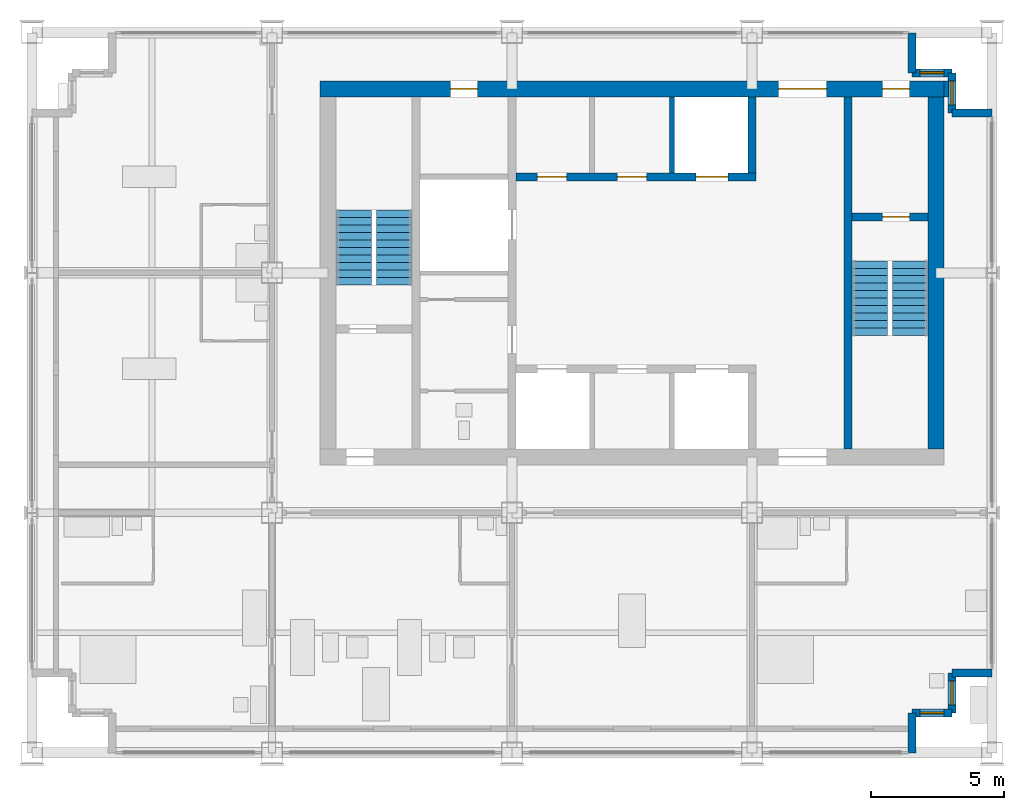
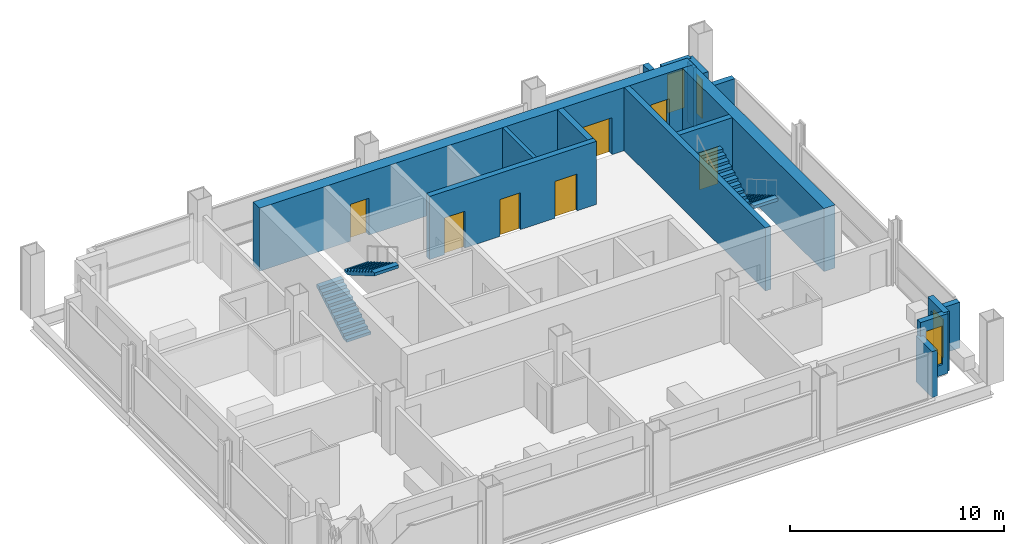
# One storey, part 8 of 11: 16 walls, 7 doors, 4 stair flights, 4 windows, 11 openings, 2 elements without a shape of their own.
"""IFC4 building model written with IfcOpenShell, lengths in metres."""

from ifc_helpers import new_model, si_unit, direction, frame, frame_2d, origin, place, context, subcontext, project, spatial, polyline, rectangle, outline, extrude, material, layer, layer_set, type_object, element, fill, aggregate, save


model = new_model("IFC4")

# Units and contexts
model_context = context("Model", 3, precision=1e-05, world=origin(), true_north=direction((0.0, 1.0)))
body_context = subcontext(model_context, "Body", "Model", "MODEL_VIEW")
ifc_project = project(units=[si_unit("LENGTHUNIT", "METRE"), si_unit("AREAUNIT", "SQUARE_METRE"), si_unit("VOLUMEUNIT", "CUBIC_METRE"), si_unit("PLANEANGLEUNIT", "RADIAN"), si_unit("MASSUNIT", "GRAM", prefix="KILO")], contexts=[model_context])

# Site, building, storey
site_placement = place(None, origin())
site = spatial("IfcSite", under=ifc_project, at=site_placement, CompositionType="ELEMENT")
building_placement = place(site_placement, origin())
building = spatial("IfcBuilding", under=site, at=building_placement, Name="Loomwork Tower", CompositionType="ELEMENT")
storey_placement = place(building_placement, frame((0.0, 0.0, 262.60009765625)))
storey = spatial("IfcBuildingStorey", under=building, at=storey_placement, Name="L72", CompositionType="ELEMENT", Elevation=262.60009765625)

# Wall, openings, doors
ifc_material_1 = material(Name="Concrete 14000 psi (97 MPa)", Category="concrete")
ifc_layer_1 = layer(ifc_material_1, 0.300048828125)
ifc_layer_set_1 = layer_set([ifc_layer_1], Name="Core shear wall 300")
wall_type_1 = type_object("IfcWallType", Name="Core shear wall 300", PredefinedType="SHEAR", material=ifc_layer_set_1)
wall_1_placement = place(storey_placement, frame((18.14990234375, 21.60009765625, 0.0), z_axis=(0.0, 0.0, 1.0), x_axis=(1.0, 0.0, 0.0)))
wall_1 = element("IfcWall", 1, at=wall_1_placement, inside=storey, type_object=wall_type_1, Name="Lift front wall north L72", PredefinedType="SHEAR", context=body_context, shape_type="SweptSolid", body=[
    extrude(rectangle(XDim=9.0, YDim=0.300048828125, at=frame_2d((4.5, 0.0))), origin(), (0.0, 0.0, 1.0), 3.599853515625),
])
opening_1_placement = place(wall_1_placement, frame((6.75, 0.0, 0.0)))
opening_1 = element("IfcOpeningElement", 2, at=opening_1_placement, cuts=wall_1, Name="Opening LD2", PredefinedType="OPENING", context=body_context, shape_type="SweptSolid", body=[
    extrude(rectangle(XDim=1.199951171875, YDim=2.10009765625, at=frame_2d((0.60009765625, 1.050048828125))), frame((0.0, 0.159912109375, 0.0), z_axis=(0.0, -1.0, 0.0), x_axis=(1.0, 0.0, 0.0)), (0.0, 0.0, 1.0), 0.320068359375),
])
opening_2_placement = place(wall_1_placement, frame((0.800048828125, 0.0, 0.0)))
opening_2 = element("IfcOpeningElement", 3, at=opening_2_placement, cuts=wall_1, Name="Opening D17", PredefinedType="OPENING", context=body_context, shape_type="SweptSolid", body=[
    extrude(rectangle(XDim=1.10009765625, YDim=2.10009765625, at=frame_2d((0.550048828125, 1.050048828125))), frame((0.0, 0.159912109375, 0.0), z_axis=(0.0, -1.0, 0.0), x_axis=(1.0, 0.0, 0.0)), (0.0, 0.0, 1.0), 0.320068359375),
])
opening_3_placement = place(wall_1_placement, frame((3.800048828125, 0.0, 0.0)))
opening_3 = element("IfcOpeningElement", 4, at=opening_3_placement, cuts=wall_1, Name="Opening D17", PredefinedType="OPENING", context=body_context, shape_type="SweptSolid", body=[
    extrude(rectangle(XDim=1.10009765625, YDim=2.10009765625, at=frame_2d((0.550048828125, 1.050048828125))), frame((0.0, 0.159912109375, 0.0), z_axis=(0.0, -1.0, 0.0), x_axis=(1.0, 0.0, 0.0)), (0.0, 0.0, 1.0), 0.320068359375),
])
ifc_material_2 = material(Name="Hollow metal door and frame")
door_type_1 = type_object("IfcDoorType", Name="Lift landing door 1200", OperationType="SLIDING_TO_LEFT", PredefinedType="DOOR", material=ifc_material_2)
door_1_placement = place(opening_1_placement, origin())
door_1 = element("IfcDoor", 5, at=door_1_placement, inside=storey, type_object=door_type_1, Name="Lift landing door LF2", OperationType="SLIDING_TO_LEFT", OverallHeight=2.10009765625, OverallWidth=1.199951171875, PredefinedType="DOOR", context=body_context, shape_type="SweptSolid", body=[
    extrude(rectangle(XDim=1.199951171875, YDim=2.10009765625, at=frame_2d((0.60009765625, 1.050048828125))), frame((0.0, 0.02490234375, 0.0), z_axis=(0.0, -1.0, 0.0), x_axis=(1.0, 0.0, 0.0)), (0.0, 0.0, 1.0), 0.050048828125),
])
fill(opening_1, door_1)
ifc_material_3 = material(Name="Hollow metal door and frame")
door_type_2 = type_object("IfcDoorType", Name="Service room door 1100", OperationType="SINGLE_SWING_LEFT", PredefinedType="DOOR", material=ifc_material_3)
door_2_placement = place(opening_2_placement, origin())
door_2 = element("IfcDoor", 6, at=door_2_placement, inside=storey, type_object=door_type_2, Name="IT and communications room door L72", OperationType="SINGLE_SWING_LEFT", OverallHeight=2.10009765625, OverallWidth=1.10009765625, PredefinedType="DOOR", context=body_context, shape_type="SweptSolid", body=[
    extrude(rectangle(XDim=1.10009765625, YDim=2.10009765625, at=frame_2d((0.550048828125, 1.050048828125))), frame((0.0, 0.02490234375, 0.0), z_axis=(0.0, -1.0, 0.0), x_axis=(1.0, 0.0, 0.0)), (0.0, 0.0, 1.0), 0.050048828125),
])
fill(opening_2, door_2)
door_3_placement = place(opening_3_placement, origin())
door_3 = element("IfcDoor", 7, at=door_3_placement, inside=storey, type_object=door_type_2, Name="Housekeeping store door L72", OperationType="SINGLE_SWING_LEFT", OverallHeight=2.10009765625, OverallWidth=1.10009765625, PredefinedType="DOOR", context=body_context, shape_type="SweptSolid", body=[
    extrude(rectangle(XDim=1.10009765625, YDim=2.10009765625, at=frame_2d((0.550048828125, 1.050048828125))), frame((0.0, 0.02490234375, 0.0), z_axis=(0.0, -1.0, 0.0), x_axis=(1.0, 0.0, 0.0)), (0.0, 0.0, 1.0), 0.050048828125),
])
fill(opening_3, door_3)

# Walls
wall_2_placement = place(storey_placement, frame((27.0, 21.75, 0.0), z_axis=(0.0, 0.0, 1.0), x_axis=(0.0, 1.0, 0.0)))
element("IfcWall", 8, at=wall_2_placement, inside=storey, type_object=wall_type_1, Name="Lift shaft end wall north L72", PredefinedType="SHEAR", context=body_context, shape_type="SweptSolid", body=[
    extrude(rectangle(XDim=2.85009765625, YDim=0.300048828125, at=frame_2d((1.425048828125, 0.0))), origin(), (0.0, 0.0, 1.0), 3.599853515625),
])
wall_3_placement = place(storey_placement, frame((30.60009765625, 11.39990234375, 0.0), z_axis=(0.0, 0.0, 1.0), x_axis=(0.0, 1.0, 0.0)))
element("IfcWall", 9, at=wall_3_placement, inside=storey, type_object=wall_type_1, Name="Stair B west wall L72", PredefinedType="SHEAR", context=body_context, shape_type="SweptSolid", body=[
    extrude(rectangle(XDim=13.2001953125, YDim=0.300048828125, at=frame_2d((6.60009765625, 0.0))), origin(), (0.0, 0.0, 1.0), 3.599853515625),
])

# Wall, opening, door
wall_4_placement = place(storey_placement, frame((30.75, 20.10009765625, 0.0), z_axis=(0.0, 0.0, 1.0), x_axis=(1.0, 0.0, 0.0)))
wall_4 = element("IfcWall", 10, at=wall_4_placement, inside=storey, type_object=wall_type_1, Name="Stair B north wall L72", PredefinedType="SHEAR", context=body_context, shape_type="SweptSolid", body=[
    extrude(rectangle(XDim=2.85009765625, YDim=0.300048828125, at=frame_2d((1.425048828125, 0.0))), origin(), (0.0, 0.0, 1.0), 3.599853515625),
])
opening_4_placement = place(wall_4_placement, frame((1.14990234375, 0.0, 0.0)))
opening_4 = element("IfcOpeningElement", 11, at=opening_4_placement, cuts=wall_4, Name="Opening D4", PredefinedType="OPENING", context=body_context, shape_type="SweptSolid", body=[
    extrude(rectangle(XDim=1.0, YDim=2.10009765625, at=frame_2d((0.5, 1.050048828125))), frame((0.0, 0.159912109375, 0.0), z_axis=(0.0, -1.0, 0.0), x_axis=(1.0, 0.0, 0.0)), (0.0, 0.0, 1.0), 0.320068359375),
])
ifc_material_4 = material(Name="Hollow metal door and frame")
door_type_3 = type_object("IfcDoorType", Name="Stair door 1000", OperationType="SINGLE_SWING_RIGHT", PredefinedType="DOOR", material=ifc_material_4)
door_4_placement = place(opening_4_placement, frame((1.0, 0.0, 0.0), z_axis=(0.0, 0.0, 1.0), x_axis=(-1.0, 0.0, 0.0)))
door_4 = element("IfcDoor", 12, at=door_4_placement, inside=storey, type_object=door_type_3, Name="Stair B door", OperationType="SINGLE_SWING_LEFT", OverallHeight=2.10009765625, OverallWidth=1.0, PredefinedType="DOOR", context=body_context, shape_type="SweptSolid", body=[
    extrude(rectangle(XDim=1.0, YDim=2.10009765625, at=frame_2d((0.5, 1.050048828125))), frame((0.0, 0.02490234375, 0.0), z_axis=(0.0, -1.0, 0.0), x_axis=(1.0, 0.0, 0.0)), (0.0, 0.0, 1.0), 0.050048828125),
])
fill(opening_4, door_4)

# Wall, openings, doors
ifc_material_5 = material(Name="Concrete 14000 psi (97 MPa)", Category="concrete")
ifc_layer_2 = layer(ifc_material_5, 0.60009765625)
ifc_layer_set_2 = layer_set([ifc_layer_2], Name="Core shear wall 600")
wall_type_2 = type_object("IfcWallType", Name="Core shear wall 600", PredefinedType="SHEAR", material=ifc_layer_set_2)
wall_5_placement = place(storey_placement, frame((10.800048828125, 24.89990234375, 0.0), z_axis=(0.0, 0.0, 1.0), x_axis=(1.0, 0.0, 0.0)))
wall_5 = element("IfcWall", 13, at=wall_5_placement, inside=storey, type_object=wall_type_2, Name="Core wall north L72", PredefinedType="SHEAR", context=body_context, shape_type="SweptSolid", body=[
    extrude(rectangle(XDim=23.39990234375, YDim=0.60009765625, at=frame_2d((11.699951171875, 0.0))), origin(), (0.0, 0.0, 1.0), 3.599853515625),
])
opening_5_placement = place(wall_5_placement, frame((17.199951171875, 0.0, 0.0)))
opening_5 = element("IfcOpeningElement", 14, at=opening_5_placement, cuts=wall_5, Name="Opening D6", PredefinedType="OPENING", context=body_context, shape_type="SweptSolid", body=[
    extrude(rectangle(XDim=1.800048828125, YDim=2.10009765625, at=frame_2d((0.89990234375, 1.050048828125))), frame((0.0, 0.31005859375, 0.0), z_axis=(0.0, -1.0, 0.0), x_axis=(1.0, 0.0, 0.0)), (0.0, 0.0, 1.0), 0.6201171875),
])
opening_6_placement = place(wall_5_placement, frame((21.10009765625, 0.0, 0.0)))
opening_6 = element("IfcOpeningElement", 15, at=opening_6_placement, cuts=wall_5, Name="Opening D4", PredefinedType="OPENING", context=body_context, shape_type="SweptSolid", body=[
    extrude(rectangle(XDim=1.0, YDim=2.10009765625, at=frame_2d((0.5, 1.050048828125))), frame((0.0, 0.31005859375, 0.0), z_axis=(0.0, -1.0, 0.0), x_axis=(1.0, 0.0, 0.0)), (0.0, 0.0, 1.0), 0.6201171875),
])
opening_7_placement = place(wall_5_placement, frame((4.89990234375, 0.0, 0.0)))
opening_7 = element("IfcOpeningElement", 16, at=opening_7_placement, cuts=wall_5, Name="Opening D5", PredefinedType="OPENING", context=body_context, shape_type="SweptSolid", body=[
    extrude(rectangle(XDim=1.0, YDim=2.10009765625, at=frame_2d((0.5, 1.050048828125))), frame((0.0, 0.31005859375, 0.0), z_axis=(0.0, -1.0, 0.0), x_axis=(1.0, 0.0, 0.0)), (0.0, 0.0, 1.0), 0.6201171875),
])
ifc_material_6 = material(Name="Hollow metal door and frame")
door_type_4 = type_object("IfcDoorType", Name="Lobby passage double door 1800", OperationType="DOUBLE_DOOR_SINGLE_SWING", PredefinedType="DOOR", material=ifc_material_6)
door_5_placement = place(opening_5_placement, frame((1.800048828125, 0.0, 0.0), z_axis=(0.0, 0.0, 1.0), x_axis=(-1.0, 0.0, 0.0)))
door_5 = element("IfcDoor", 17, at=door_5_placement, inside=storey, type_object=door_type_4, Name="Lobby passage door north", OperationType="DOUBLE_DOOR_SINGLE_SWING", OverallHeight=2.10009765625, OverallWidth=1.800048828125, PredefinedType="DOOR", context=body_context, shape_type="SweptSolid", body=[
    extrude(rectangle(XDim=1.800048828125, YDim=2.10009765625, at=frame_2d((0.89990234375, 1.050048828125))), frame((0.0, 0.02490234375, 0.0), z_axis=(0.0, -1.0, 0.0), x_axis=(1.0, 0.0, 0.0)), (0.0, 0.0, 1.0), 0.050048828125),
])
fill(opening_5, door_5)
ifc_material_7 = material(Name="Hollow metal door and frame")
door_type_5 = type_object("IfcDoorType", Name="Service door 1000", OperationType="SINGLE_SWING_LEFT", PredefinedType="DOOR", material=ifc_material_7)
door_6_placement = place(opening_7_placement, frame((1.0, 0.0, 0.0), z_axis=(0.0, 0.0, 1.0), x_axis=(-1.0, 0.0, 0.0)))
door_6 = element("IfcDoor", 18, at=door_6_placement, inside=storey, type_object=door_type_5, Name="Back-of-house door north", OperationType="SINGLE_SWING_LEFT", OverallHeight=2.10009765625, OverallWidth=1.0, PredefinedType="DOOR", context=body_context, shape_type="SweptSolid", body=[
    extrude(rectangle(XDim=1.0, YDim=2.10009765625, at=frame_2d((0.5, 1.050048828125))), frame((0.0, 0.02490234375, 0.0), z_axis=(0.0, -1.0, 0.0), x_axis=(1.0, 0.0, 0.0)), (0.0, 0.0, 1.0), 0.050048828125),
])
fill(opening_7, door_6)
door_7_placement = place(opening_6_placement, frame((1.0, 0.0, 0.0), z_axis=(0.0, 0.0, 1.0), x_axis=(-1.0, 0.0, 0.0)))
door_7 = element("IfcDoor", 19, at=door_7_placement, inside=storey, type_object=door_type_3, Name="Stair B vestibule door", OperationType="SINGLE_SWING_LEFT", OverallHeight=2.10009765625, OverallWidth=1.0, PredefinedType="DOOR", context=body_context, shape_type="SweptSolid", body=[
    extrude(rectangle(XDim=1.0, YDim=2.10009765625, at=frame_2d((0.5, 1.050048828125))), frame((0.0, 0.02490234375, 0.0), z_axis=(0.0, -1.0, 0.0), x_axis=(1.0, 0.0, 0.0)), (0.0, 0.0, 1.0), 0.050048828125),
])
fill(opening_6, door_7)

# Walls
wall_6_placement = place(storey_placement, frame((33.89990234375, 11.39990234375, 0.0), z_axis=(0.0, 0.0, 1.0), x_axis=(0.0, 1.0, 0.0)))
element("IfcWall", 20, at=wall_6_placement, inside=storey, type_object=wall_type_2, Name="Core wall east L72", PredefinedType="SHEAR", context=body_context, shape_type="SweptSolid", body=[
    extrude(rectangle(XDim=13.2001953125, YDim=0.60009765625, at=frame_2d((6.60009765625, 0.0))), origin(), (0.0, 0.0, 1.0), 3.599853515625),
])
ifc_material_8 = material(Name="Concrete 14000 psi (97 MPa)", Category="concrete")
ifc_layer_3 = layer(ifc_material_8, 0.199951171875)
ifc_layer_set_3 = layer_set([ifc_layer_3], Name="Lift shaft wall 200")
wall_type_3 = type_object("IfcWallType", Name="Lift shaft wall 200", PredefinedType="SHEAR", material=ifc_layer_set_3)
wall_7_placement = place(storey_placement, frame((24.0, 21.75, 0.0), z_axis=(0.0, 0.0, 1.0), x_axis=(0.0, 1.0, 0.0)))
element("IfcWall", 21, at=wall_7_placement, inside=storey, type_object=wall_type_3, Name="Lift shaft separation wall north 2 L72", PredefinedType="SHEAR", context=body_context, shape_type="SweptSolid", body=[
    extrude(rectangle(XDim=2.85009765625, YDim=0.199951171875, at=frame_2d((1.425048828125, 0.0))), origin(), (0.0, 0.0, 1.0), 3.599853515625),
])
ifc_material_9 = material(Name="Limestone on concrete masonry", Category="masonry")
ifc_layer_4 = layer(ifc_material_9, 0.300048828125)
ifc_layer_set_4 = layer_set([ifc_layer_4], Name="Limestone corner wall 300")
wall_type_4 = type_object("IfcWallType", Name="Limestone corner wall 300", PredefinedType="SOLIDWALL", material=ifc_layer_set_4)
wall_8_placement = place(storey_placement, frame((33.0, 0.0, 0.0), z_axis=(0.0, 0.0, 1.0), x_axis=(0.0, 1.0, 0.0)))
element("IfcWall", 22, at=wall_8_placement, inside=storey, type_object=wall_type_4, Name="Stone corner wall SE 1", PredefinedType="SOLIDWALL", context=body_context, shape_type="SweptSolid", body=[
    extrude(rectangle(XDim=1.5, YDim=0.300048828125, at=frame_2d((0.75, 0.0))), origin(), (0.0, 0.0, 1.0), 2.619873046875),
])

# Wall, opening, window
wall_9_placement = place(storey_placement, frame((33.0, 1.5, 0.0), z_axis=(0.0, 0.0, 1.0), x_axis=(1.0, 0.0, 0.0)))
wall_9 = element("IfcWall", 23, at=wall_9_placement, inside=storey, type_object=wall_type_4, Name="Stone corner wall SE 2", PredefinedType="SOLIDWALL", context=body_context, shape_type="SweptSolid", body=[
    extrude(rectangle(XDim=1.5, YDim=0.300048828125, at=frame_2d((0.75, 0.0))), origin(), (0.0, 0.0, 1.0), 3.39990234375),
])
opening_8_placement = place(wall_9_placement, frame((0.300048828125, 0.0, 0.60009765625)))
opening_8 = element("IfcOpeningElement", 24, at=opening_8_placement, cuts=wall_9, Name="Opening CH2", PredefinedType="OPENING", context=body_context, shape_type="SweptSolid", body=[
    extrude(rectangle(XDim=0.89990234375, YDim=2.199951171875, at=frame_2d((0.449951171875, 1.10009765625))), frame((0.0, 0.159912109375, 0.0), z_axis=(0.0, -1.0, 0.0), x_axis=(1.0, 0.0, 0.0)), (0.0, 0.0, 1.0), 0.320068359375),
])
ifc_material_10 = material(Name="Aluminium frame with clear insulated glass", Category="aluminium")
window_type = type_object("IfcWindowType", Name="Corner window 900", PartitioningType="SINGLE_PANEL", PredefinedType="WINDOW", material=ifc_material_10)
window_1_placement = place(opening_8_placement, origin())
window_1 = element("IfcWindow", 25, at=window_1_placement, inside=storey, type_object=window_type, Name="Corner window SE", OverallHeight=2.199951171875, OverallWidth=0.89990234375, PartitioningType="SINGLE_PANEL", PredefinedType="WINDOW", context=body_context, shape_type="SweptSolid", body=[
    extrude(rectangle(XDim=0.89990234375, YDim=2.199951171875, at=frame_2d((0.449951171875, 1.10009765625))), frame((0.0, 0.030029296875, 0.0), z_axis=(0.0, -1.0, 0.0), x_axis=(1.0, 0.0, 0.0)), (0.0, 0.0, 1.0), 0.06005859375),
])
fill(opening_8, window_1)

wall_10_placement = place(storey_placement, frame((34.5, 1.5, 0.0), z_axis=(0.0, 0.0, 1.0), x_axis=(0.0, 1.0, 0.0)))
wall_10 = element("IfcWall", 26, at=wall_10_placement, inside=storey, type_object=wall_type_4, Name="Stone corner wall SE 3", PredefinedType="SOLIDWALL", context=body_context, shape_type="SweptSolid", body=[
    extrude(rectangle(XDim=1.5, YDim=0.300048828125, at=frame_2d((0.75, 0.0))), origin(), (0.0, 0.0, 1.0), 3.39990234375),
])
opening_9_placement = place(wall_10_placement, frame((0.300048828125, 0.0, 0.60009765625)))
opening_9 = element("IfcOpeningElement", 27, at=opening_9_placement, cuts=wall_10, Name="Opening CH2", PredefinedType="OPENING", context=body_context, shape_type="SweptSolid", body=[
    extrude(rectangle(XDim=0.89990234375, YDim=2.199951171875, at=frame_2d((0.449951171875, 1.10009765625))), frame((0.0, 0.159912109375, 0.0), z_axis=(0.0, -1.0, 0.0), x_axis=(1.0, 0.0, 0.0)), (0.0, 0.0, 1.0), 0.320068359375),
])
window_2_placement = place(opening_9_placement, origin())
window_2 = element("IfcWindow", 28, at=window_2_placement, inside=storey, type_object=window_type, Name="Corner window SE", OverallHeight=2.199951171875, OverallWidth=0.89990234375, PartitioningType="SINGLE_PANEL", PredefinedType="WINDOW", context=body_context, shape_type="SweptSolid", body=[
    extrude(rectangle(XDim=0.89990234375, YDim=2.199951171875, at=frame_2d((0.449951171875, 1.10009765625))), frame((0.0, 0.030029296875, 0.0), z_axis=(0.0, -1.0, 0.0), x_axis=(1.0, 0.0, 0.0)), (0.0, 0.0, 1.0), 0.06005859375),
])
fill(opening_9, window_2)

# Walls
for number, where, z_axis, x_axis, name in (
    (29, (34.5, 3.0, 0.0), (0.0, 0.0, 1.0), (1.0, 0.0, 0.0), "Stone corner wall SE 4"),
    (30, (36.0, 24.0, 0.0), (0.0, 0.0, 1.0), (-1.0, 0.0, 0.0), "Stone corner wall NE 1"),
):
    element("IfcWall", number, at=place(storey_placement, frame(where, z_axis=z_axis, x_axis=x_axis)), inside=storey, type_object=wall_type_4, Name=name, PredefinedType="SOLIDWALL", context=body_context, shape_type="SweptSolid", body=[
        extrude(rectangle(XDim=1.5, YDim=0.300048828125, at=frame_2d((0.75, 0.0))), origin(), (0.0, 0.0, 1.0), 2.619873046875),
    ])

# Wall, opening, window
wall_11_placement = place(storey_placement, frame((34.5, 24.0, 0.0), z_axis=(0.0, 0.0, 1.0), x_axis=(0.0, 1.0, 0.0)))
wall_11 = element("IfcWall", 31, at=wall_11_placement, inside=storey, type_object=wall_type_4, Name="Stone corner wall NE 2", PredefinedType="SOLIDWALL", context=body_context, shape_type="SweptSolid", body=[
    extrude(rectangle(XDim=1.5, YDim=0.300048828125, at=frame_2d((0.75, 0.0))), origin(), (0.0, 0.0, 1.0), 3.39990234375),
])
opening_10_placement = place(wall_11_placement, frame((0.300048828125, 0.0, 0.60009765625)))
opening_10 = element("IfcOpeningElement", 32, at=opening_10_placement, cuts=wall_11, Name="Opening CH2", PredefinedType="OPENING", context=body_context, shape_type="SweptSolid", body=[
    extrude(rectangle(XDim=0.89990234375, YDim=2.199951171875, at=frame_2d((0.449951171875, 1.10009765625))), frame((0.0, 0.159912109375, 0.0), z_axis=(0.0, -1.0, 0.0), x_axis=(1.0, 0.0, 0.0)), (0.0, 0.0, 1.0), 0.320068359375),
])
window_3_placement = place(opening_10_placement, origin())
window_3 = element("IfcWindow", 33, at=window_3_placement, inside=storey, type_object=window_type, Name="Corner window NE", OverallHeight=2.199951171875, OverallWidth=0.89990234375, PartitioningType="SINGLE_PANEL", PredefinedType="WINDOW", context=body_context, shape_type="SweptSolid", body=[
    extrude(rectangle(XDim=0.89990234375, YDim=2.199951171875, at=frame_2d((0.449951171875, 1.10009765625))), frame((0.0, 0.030029296875, 0.0), z_axis=(0.0, -1.0, 0.0), x_axis=(1.0, 0.0, 0.0)), (0.0, 0.0, 1.0), 0.06005859375),
])
fill(opening_10, window_3)

wall_12_placement = place(storey_placement, frame((34.5, 25.5, 0.0), z_axis=(0.0, 0.0, 1.0), x_axis=(-1.0, 0.0, 0.0)))
wall_12 = element("IfcWall", 34, at=wall_12_placement, inside=storey, type_object=wall_type_4, Name="Stone corner wall NE 3", PredefinedType="SOLIDWALL", context=body_context, shape_type="SweptSolid", body=[
    extrude(rectangle(XDim=1.5, YDim=0.300048828125, at=frame_2d((0.75, 0.0))), origin(), (0.0, 0.0, 1.0), 3.39990234375),
])
opening_11_placement = place(wall_12_placement, frame((0.300048828125, 0.0, 0.60009765625)))
opening_11 = element("IfcOpeningElement", 35, at=opening_11_placement, cuts=wall_12, Name="Opening CH2", PredefinedType="OPENING", context=body_context, shape_type="SweptSolid", body=[
    extrude(rectangle(XDim=0.89990234375, YDim=2.199951171875, at=frame_2d((0.449951171875, 1.10009765625))), frame((0.0, 0.159912109375, 0.0), z_axis=(0.0, -1.0, 0.0), x_axis=(1.0, 0.0, 0.0)), (0.0, 0.0, 1.0), 0.320068359375),
])
window_4_placement = place(opening_11_placement, origin())
window_4 = element("IfcWindow", 36, at=window_4_placement, inside=storey, type_object=window_type, Name="Corner window NE", OverallHeight=2.199951171875, OverallWidth=0.89990234375, PartitioningType="SINGLE_PANEL", PredefinedType="WINDOW", context=body_context, shape_type="SweptSolid", body=[
    extrude(rectangle(XDim=0.89990234375, YDim=2.199951171875, at=frame_2d((0.449951171875, 1.10009765625))), frame((0.0, 0.030029296875, 0.0), z_axis=(0.0, -1.0, 0.0), x_axis=(1.0, 0.0, 0.0)), (0.0, 0.0, 1.0), 0.06005859375),
])
fill(opening_11, window_4)

# Walls
wall_13_placement = place(storey_placement, frame((33.0, 25.5, 0.0), z_axis=(0.0, 0.0, 1.0), x_axis=(0.0, 1.0, 0.0)))
element("IfcWall", 37, at=wall_13_placement, inside=storey, type_object=wall_type_4, Name="Stone corner wall NE 4", PredefinedType="SOLIDWALL", context=body_context, shape_type="SweptSolid", body=[
    extrude(rectangle(XDim=1.5, YDim=0.300048828125, at=frame_2d((0.75, 0.0))), origin(), (0.0, 0.0, 1.0), 2.619873046875),
])
ifc_material_11 = material(Name="Gypsum board on steel studs, one-hour", Category="steel")
ifc_layer_5 = layer(ifc_material_11, 0.14990234375)
ifc_layer_set_5 = layer_set([ifc_layer_5], Name="Service partition 150")
wall_type_5 = type_object("IfcWallType", Name="Service partition 150", PredefinedType="PARTITIONING", material=ifc_layer_set_5)
wall_14_placement = place(storey_placement, frame((34.199951171875, 24.89990234375, 0.0), z_axis=(0.0, 0.0, 1.0), x_axis=(1.0, 0.0, 0.0)))
element("IfcWall", 38, at=wall_14_placement, inside=storey, type_object=wall_type_5, Name="Core wall infill L72", PredefinedType="PARTITIONING", context=body_context, shape_type="SweptSolid", body=[
    extrude(rectangle(XDim=0.16015625, YDim=0.60009765625, at=frame_2d((0.080078125, 0.0))), origin(), (0.0, 0.0, 1.0), 3.39990234375),
])

# Stair, stair flights
ifc_material_12 = material(Name="Concrete 5000 psi (34 MPa) precast stair", Category="concrete")
stair_type_1 = type_object("IfcStairType", Name="Stair ST-A 22 risers 2850 wide", PredefinedType="HALF_TURN_STAIR", material=ifc_material_12)
stair_1_placement = place(storey_placement, origin())
stair_1 = element("IfcStair", 39, at=stair_1_placement, inside=storey, type_object=stair_type_1, Name="Stair A L72", PredefinedType="HALF_TURN_STAIR")
ifc_material_13 = material(Name="Concrete 5000 psi (34 MPa) precast stair", Category="concrete")
stair_flight_type_1 = type_object("IfcStairFlightType", Name="Stair flight ST-A 11 risers 1300 wide", PredefinedType="STRAIGHT", material=ifc_material_13)
stair_flight_1_placement = place(storey_placement, frame((12.074951171875, 17.550048828125, 0.0), z_axis=(0.0, 0.0, 1.0), x_axis=(0.0, 1.0, 0.0)))
stair_flight_1 = element("IfcStairFlight", 40, at=stair_flight_1_placement, type_object=stair_flight_type_1, Name="ST-A flight 1", NumberOfRisers=11, NumberOfTreads=10, PredefinedType="STRAIGHT", RiserHeight=0.163636364, TreadLength=0.28, context=body_context, shape_type="SweptSolid", body=[
    extrude(outline(polyline([(0.0, 0.0), (0.0, 0.16357421875), (0.280029296875, 0.16357421875), (0.280029296875, 0.327392578125), (0.56005859375, 0.327392578125), (0.56005859375, 0.490966796875), (0.840087890625, 0.490966796875), (0.840087890625, 0.654541015625), (1.1201171875, 0.654541015625), (1.1201171875, 0.818115234375), (1.39990234375, 0.818115234375), (1.39990234375, 0.98193359375), (1.679931640625, 0.98193359375), (1.679931640625, 1.1455078125), (1.9599609375, 1.1455078125), (1.9599609375, 1.30908203125), (2.239990234375, 1.30908203125), (2.239990234375, 1.47265625), (2.52001953125, 1.47265625), (2.52001953125, 1.636474609375), (2.800048828125, 1.636474609375), (2.800048828125, 1.800048828125), (2.800048828125, 1.462646484375), (0.297119140625, 0.0), (0.0, 0.0)])), frame((0.0, 0.64990234375, 0.0), z_axis=(0.0, -1.0, 0.0), x_axis=(1.0, 0.0, 0.0)), (0.0, 0.0, 1.0), 1.300048828125),
])
stair_flight_2_placement = place(storey_placement, frame((13.574951171875, 20.35009765625, 1.7998046875), z_axis=(0.0, 0.0, 1.0), x_axis=(0.0, -1.0, 0.0)))
stair_flight_2 = element("IfcStairFlight", 41, at=stair_flight_2_placement, type_object=stair_flight_type_1, Name="ST-A flight 2", NumberOfRisers=11, NumberOfTreads=10, PredefinedType="STRAIGHT", RiserHeight=0.163636364, TreadLength=0.28, context=body_context, shape_type="SweptSolid", body=[
    extrude(outline(polyline([(0.0, 0.0), (0.0, 0.16357421875), (0.280029296875, 0.16357421875), (0.280029296875, 0.327392578125), (0.56005859375, 0.327392578125), (0.56005859375, 0.490966796875), (0.840087890625, 0.490966796875), (0.840087890625, 0.654541015625), (1.1201171875, 0.654541015625), (1.1201171875, 0.818115234375), (1.39990234375, 0.818115234375), (1.39990234375, 0.98193359375), (1.679931640625, 0.98193359375), (1.679931640625, 1.1455078125), (1.9599609375, 1.1455078125), (1.9599609375, 1.30908203125), (2.239990234375, 1.30908203125), (2.239990234375, 1.47265625), (2.52001953125, 1.47265625), (2.52001953125, 1.636474609375), (2.800048828125, 1.636474609375), (2.800048828125, 1.800048828125), (2.800048828125, 1.462646484375), (0.297119140625, 0.0), (0.0, 0.0)])), frame((0.0, 0.64990234375, 0.0), z_axis=(0.0, -1.0, 0.0), x_axis=(1.0, 0.0, 0.0)), (0.0, 0.0, 1.0), 1.300048828125),
])
aggregate(stair_1, [stair_flight_1, stair_flight_2])

ifc_material_14 = material(Name="Concrete 5000 psi (34 MPa) precast stair", Category="concrete")
stair_type_2 = type_object("IfcStairType", Name="Stair ST-B 22 risers 2850 wide", PredefinedType="HALF_TURN_STAIR", material=ifc_material_14)
stair_2_placement = place(storey_placement, origin())
stair_2 = element("IfcStair", 42, at=stair_2_placement, inside=storey, type_object=stair_type_2, Name="Stair B L72", PredefinedType="HALF_TURN_STAIR")
ifc_material_15 = material(Name="Concrete 5000 psi (34 MPa) precast stair", Category="concrete")
stair_flight_type_2 = type_object("IfcStairFlightType", Name="Stair flight ST-B 11 risers 1300 wide", PredefinedType="STRAIGHT", material=ifc_material_15)
stair_flight_3_placement = place(storey_placement, frame((32.925048828125, 18.449951171875, 0.0), z_axis=(0.0, 0.0, 1.0), x_axis=(0.0, -1.0, 0.0)))
stair_flight_3 = element("IfcStairFlight", 43, at=stair_flight_3_placement, type_object=stair_flight_type_2, Name="ST-B flight 1", NumberOfRisers=11, NumberOfTreads=10, PredefinedType="STRAIGHT", RiserHeight=0.163636364, TreadLength=0.28, context=body_context, shape_type="SweptSolid", body=[
    extrude(outline(polyline([(0.0, 0.0), (0.0, 0.16357421875), (0.280029296875, 0.16357421875), (0.280029296875, 0.327392578125), (0.56005859375, 0.327392578125), (0.56005859375, 0.490966796875), (0.840087890625, 0.490966796875), (0.840087890625, 0.654541015625), (1.1201171875, 0.654541015625), (1.1201171875, 0.818115234375), (1.39990234375, 0.818115234375), (1.39990234375, 0.98193359375), (1.679931640625, 0.98193359375), (1.679931640625, 1.1455078125), (1.9599609375, 1.1455078125), (1.9599609375, 1.30908203125), (2.239990234375, 1.30908203125), (2.239990234375, 1.47265625), (2.52001953125, 1.47265625), (2.52001953125, 1.636474609375), (2.800048828125, 1.636474609375), (2.800048828125, 1.800048828125), (2.800048828125, 1.462646484375), (0.297119140625, 0.0), (0.0, 0.0)])), frame((0.0, 0.64990234375, 0.0), z_axis=(0.0, -1.0, 0.0), x_axis=(1.0, 0.0, 0.0)), (0.0, 0.0, 1.0), 1.300048828125),
])
stair_flight_4_placement = place(storey_placement, frame((31.425048828125, 15.64990234375, 1.7998046875), z_axis=(0.0, 0.0, 1.0), x_axis=(0.0, 1.0, 0.0)))
stair_flight_4 = element("IfcStairFlight", 44, at=stair_flight_4_placement, type_object=stair_flight_type_2, Name="ST-B flight 2", NumberOfRisers=11, NumberOfTreads=10, PredefinedType="STRAIGHT", RiserHeight=0.163636364, TreadLength=0.28, context=body_context, shape_type="SweptSolid", body=[
    extrude(outline(polyline([(0.0, 0.0), (0.0, 0.16357421875), (0.280029296875, 0.16357421875), (0.280029296875, 0.327392578125), (0.56005859375, 0.327392578125), (0.56005859375, 0.490966796875), (0.840087890625, 0.490966796875), (0.840087890625, 0.654541015625), (1.1201171875, 0.654541015625), (1.1201171875, 0.818115234375), (1.39990234375, 0.818115234375), (1.39990234375, 0.98193359375), (1.679931640625, 0.98193359375), (1.679931640625, 1.1455078125), (1.9599609375, 1.1455078125), (1.9599609375, 1.30908203125), (2.239990234375, 1.30908203125), (2.239990234375, 1.47265625), (2.52001953125, 1.47265625), (2.52001953125, 1.636474609375), (2.800048828125, 1.636474609375), (2.800048828125, 1.800048828125), (2.800048828125, 1.462646484375), (0.297119140625, 0.0), (0.0, 0.0)])), frame((0.0, 0.64990234375, 0.0), z_axis=(0.0, -1.0, 0.0), x_axis=(1.0, 0.0, 0.0)), (0.0, 0.0, 1.0), 1.300048828125),
])
aggregate(stair_2, [stair_flight_3, stair_flight_4])

save(model, "model.ifc")
